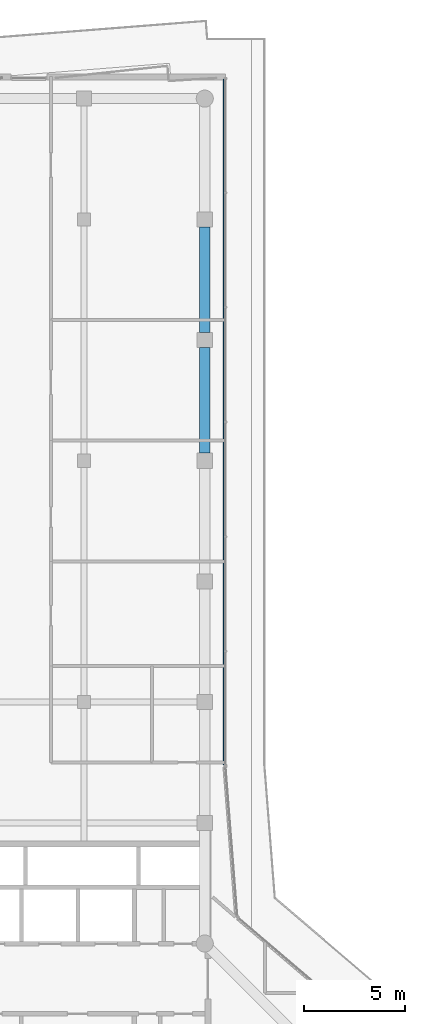
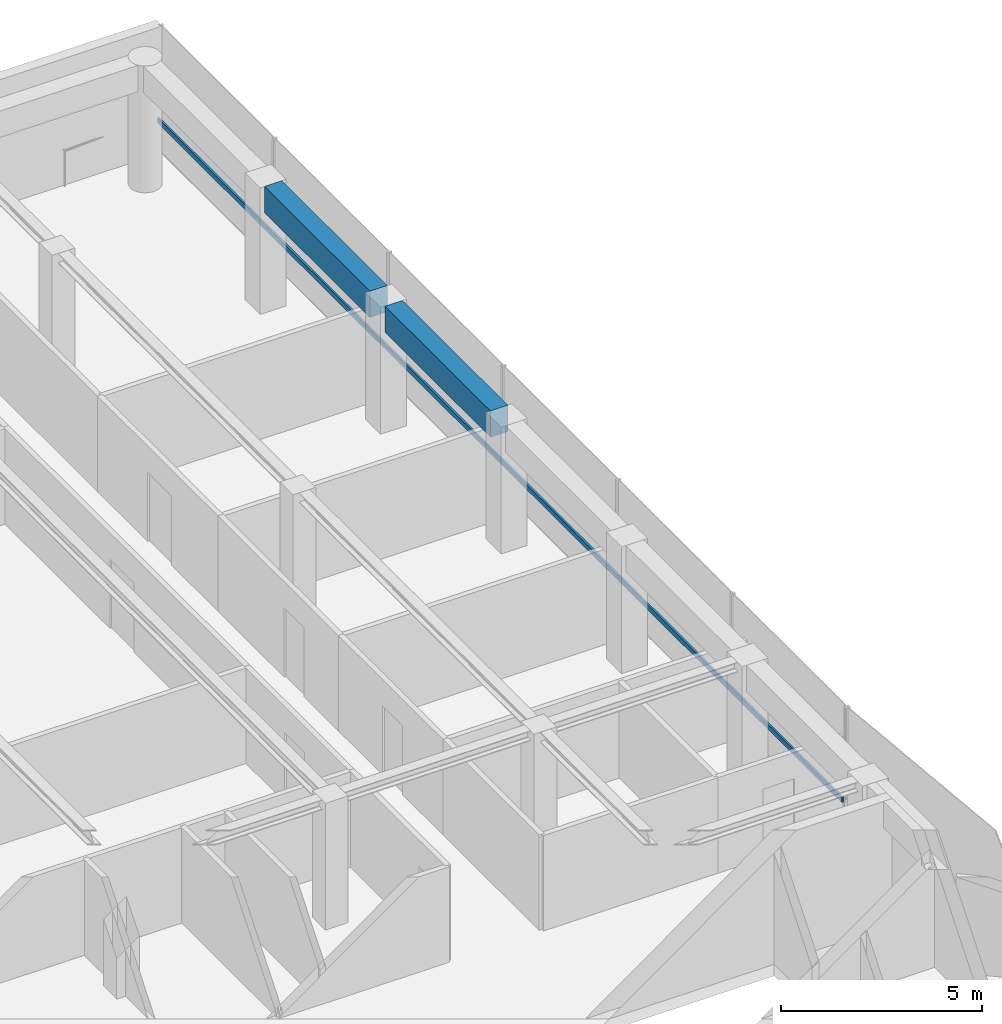
# One storey, part 15 of 23: 2 beams, 1 member, 1 element without a shape of its own.
"""IFC4 building model written with IfcOpenShell, lengths in metres."""

import ifcopenshell
import ifcopenshell.guid

model = None  # the IFC model being written
_history = None  # IfcOwnerHistory: only IFC2X3 demands one
_inside = {}  # id of a spatial element -> (the spatial element, [elements in it])
_under = {}  # id of a project, library or spatial element -> (it, [spatial elements below it])
_declared = {}  # id of a project -> (the project, [libraries it declares])
_typed = {}  # id of a type object -> (the type object, [elements of that type])
_made_of = {}  # id of a material, layer set ... -> (it, [elements and type objects made of it])


def new_model(schema):
    """Start an empty IFC model of exactly this schema.

    Asked for "IFC4X3", IfcOpenShell would pick the latest addendum, in which some entities
    have other attributes; the version numbers below select the first issue.
    IFC2X3 requires an IfcOwnerHistory on every rooted entity: one is made here for all.
    """
    global model, _history
    if schema == "IFC4X3":
        model = ifcopenshell.file(schema_version=(4, 3, 0, 0))
    else:
        model = ifcopenshell.file(schema=schema)
    _inside.clear()
    _under.clear()
    _declared.clear()
    _typed.clear()
    _made_of.clear()
    _history = None
    if model.schema == "IFC2X3":
        org = make("IfcOrganization", Name="unknown")
        user = make(
            "IfcPersonAndOrganization",
            ThePerson=make("IfcPerson", FamilyName="unknown"),
            TheOrganization=org,
        )
        app = make(
            "IfcApplication",
            ApplicationDeveloper=org,
            Version="unknown",
            ApplicationFullName="unknown",
            ApplicationIdentifier="unknown",
        )
        _history = make(
            "IfcOwnerHistory",
            OwningUser=user,
            OwningApplication=app,
            ChangeAction="ADDED",
            CreationDate=0,
        )
    return model


def make(cls, **values):
    """One entity of the class cls with the attributes given. An attribute that is None is left unset."""
    return model.create_entity(
        cls, **{name: value for name, value in values.items() if value is not None}
    )


def rooted(cls, **values):
    """An entity with a GlobalId (a new one), such as an element, a storey or a relation."""
    return make(cls, GlobalId=ifcopenshell.guid.new(), OwnerHistory=_history, **values)


def si_unit(unit_type, name, prefix=None):
    """IfcSIUnit, for example si_unit("LENGTHUNIT", "METRE", prefix="MILLI")."""
    return make("IfcSIUnit", UnitType=unit_type, Prefix=prefix, Name=name)


def assignment(units):
    """IfcUnitAssignment: the units of a project."""
    return None if units is None else make("IfcUnitAssignment", Units=units)


def point(xyz):
    """IfcCartesianPoint."""
    return None if xyz is None else make("IfcCartesianPoint", Coordinates=xyz)


def direction(xyz):
    """IfcDirection."""
    return None if xyz is None else make("IfcDirection", DirectionRatios=xyz)


def frame(location, z_axis=None, x_axis=None):
    """IfcAxis2Placement3D, a coordinate frame: its origin and axes. An axis left out is left unset."""
    return make(
        "IfcAxis2Placement3D",
        Location=point(location),
        Axis=direction(z_axis),
        RefDirection=direction(x_axis),
    )


def frame_2d(location, x_axis=None):
    """IfcAxis2Placement2D, a coordinate frame in the plane: its origin and x axis."""
    return make(
        "IfcAxis2Placement2D", Location=point(location), RefDirection=direction(x_axis)
    )


def origin():
    """The frame at (0, 0, 0) with its axes left unset."""
    return frame((0.0, 0.0, 0.0))


def origin_2d():
    """The frame at (0, 0) in the plane with its x axis left unset."""
    return frame_2d((0.0, 0.0))


def place(relative_to, where):
    """IfcLocalPlacement: puts the frame where relative to a parent placement (None: the world)."""
    return make(
        "IfcLocalPlacement", PlacementRelTo=relative_to, RelativePlacement=where
    )


def context(
    kind, dimensions, precision=None, world=None, true_north=None, identifier=None
):
    """IfcGeometricRepresentationContext, for example the 3D "Model" context."""
    return make(
        "IfcGeometricRepresentationContext",
        ContextIdentifier=identifier,
        ContextType=kind,
        CoordinateSpaceDimension=dimensions,
        Precision=precision,
        WorldCoordinateSystem=world,
        TrueNorth=true_north,
    )


def subcontext(parent, identifier, kind, view, scale=None):
    """IfcGeometricRepresentationSubContext, for example "Body" below "Model"."""
    return make(
        "IfcGeometricRepresentationSubContext",
        ContextIdentifier=identifier,
        ContextType=kind,
        ParentContext=parent,
        TargetScale=scale,
        TargetView=view,
    )


def project(units=None, contexts=None):
    """IfcProject with its units and contexts."""
    return rooted(
        "IfcProject",
        Name="project",
        RepresentationContexts=contexts,
        UnitsInContext=assignment(units),
    )


def spatial(cls, under=None, at=None, **own):
    """A site, building, storey or space (cls), placed at a placement, below another one or the project."""
    s = rooted(cls, ObjectPlacement=at, **own)
    if under is not None:
        _under.setdefault(under.id(), (under, []))[1].append(s)
    return s


def profile(cls, at=None, kind="AREA", **sizes):
    """A parametric profile (cls). Its sizes go by their IFC names, for example OverallWidth=200.0."""
    return make(cls, ProfileType=kind, Position=at, **sizes)


def rectangle(**sizes):
    """IfcRectangleProfileDef."""
    return profile("IfcRectangleProfileDef", **sizes)


def extrude(swept, where, along, depth):
    """IfcExtrudedAreaSolid: the profile swept, set in the frame where, extruded along a direction by depth."""
    return make(
        "IfcExtrudedAreaSolid",
        SweptArea=swept,
        Position=where,
        ExtrudedDirection=direction(along),
        Depth=depth,
    )


def shape(context_of_items, identifier, shape_type, items):
    """IfcShapeRepresentation: the items that make up one representation, for example the "Body"."""
    return make(
        "IfcShapeRepresentation",
        ContextOfItems=context_of_items,
        RepresentationIdentifier=identifier,
        RepresentationType=shape_type,
        Items=items,
    )


def material(Name=None, Category=None):
    """IfcMaterial."""
    return make("IfcMaterial", Name=Name, Category=Category)


def layer(
    of_material, thickness, ventilated=None, Name=None, Category=None, Priority=None
):
    """IfcMaterialLayer: one layer of a wall or slab, of a material (None: an air gap)."""
    return make(
        "IfcMaterialLayer",
        Material=of_material,
        LayerThickness=thickness,
        IsVentilated=ventilated,
        Name=Name,
        Category=Category,
        Priority=Priority,
    )


def layer_set(layers, Name=None):
    """IfcMaterialLayerSet."""
    return make("IfcMaterialLayerSet", MaterialLayers=layers, LayerSetName=Name)


def material_profile(
    of_material, cross_section, Name=None, Category=None, Priority=None
):
    """IfcMaterialProfile: a cross section and its material."""
    return make(
        "IfcMaterialProfile",
        Name=Name,
        Material=of_material,
        Profile=cross_section,
        Priority=Priority,
        Category=Category,
    )


def profile_set(profiles, Name=None, composite=None):
    """IfcMaterialProfileSet."""
    return make(
        "IfcMaterialProfileSet",
        Name=Name,
        MaterialProfiles=profiles,
        CompositeProfile=composite,
    )


def made_of(thing, what):
    """Note that an element or type object is made of a material, layer set ...; save() writes the relation."""
    if what is not None:
        _made_of.setdefault(what.id(), (what, []))[1].append(thing)
    return thing


def type_object(cls, material=None, **own):
    """A type object (cls), such as IfcWallType, which elements share."""
    return made_of(rooted(cls, **own), material)


def element(
    cls,
    number,
    at=None,
    inside=None,
    cuts=None,
    type_object=None,
    material=None,
    context=None,
    identifier="Body",
    shape_type=None,
    held_by="IfcProductDefinitionShape",
    body=None,
    shapes=None,
    **own,
):
    """One element of the class cls, such as IfcWall. Its Tag is "e" and its number.

    at: its placement. inside: the storey or other place that contains it. cuts: it is an
    opening in that element (IfcRelVoidsElement). A single representation is given by context,
    identifier, shape_type and body (its items); several are given by shapes. held_by: the class
    of the entity that holds the representations. save() writes the other relations.
    """
    e = rooted(cls, Tag="e%d" % number, ObjectPlacement=at, **own)
    if body is not None:
        shapes = [shape(context, identifier, shape_type, body)]
    if shapes is not None:
        e.Representation = make(held_by, Representations=shapes)
    if inside is not None:
        _inside.setdefault(inside.id(), (inside, []))[1].append(e)
    if cuts is not None:
        rooted(
            "IfcRelVoidsElement", RelatingBuildingElement=cuts, RelatedOpeningElement=e
        )
    if type_object is not None:
        _typed.setdefault(type_object.id(), (type_object, []))[1].append(e)
    return made_of(e, material)


def aggregate(whole, parts):
    """IfcRelAggregates: a whole, such as a stair, and the parts it consists of."""
    return rooted("IfcRelAggregates", RelatingObject=whole, RelatedObjects=parts)


def save(model, path):
    """Write the relations noted so far, then the file.

    IfcRelAggregates (storeys below a building ...), IfcRelContainedInSpatialStructure (elements
    in a storey), IfcRelDefinesByType, IfcRelAssociatesMaterial and IfcRelDeclares: one each for
    every whole, place, type object, material and project.
    """
    for whole, parts in _under.values():
        aggregate(whole, parts)
    for where, things in _inside.values():
        rooted(
            "IfcRelContainedInSpatialStructure",
            RelatedElements=things,
            RelatingStructure=where,
        )
    for kind, things in _typed.values():
        rooted("IfcRelDefinesByType", RelatedObjects=things, RelatingType=kind)
    for what, things in _made_of.values():
        rooted("IfcRelAssociatesMaterial", RelatedObjects=things, RelatingMaterial=what)
    for by, libraries in _declared.values():
        rooted("IfcRelDeclares", RelatingContext=by, RelatedDefinitions=libraries)
    model.write(path)


model = new_model("IFC4")

# Units and contexts
model_context = context("Model", 3, precision=1e-05, world=origin(), true_north=direction((0.0, 1.0)))
body_context = subcontext(model_context, "Body", "Model", "MODEL_VIEW")
ifc_project = project(units=[si_unit("LENGTHUNIT", "METRE"), si_unit("AREAUNIT", "SQUARE_METRE"), si_unit("VOLUMEUNIT", "CUBIC_METRE"), si_unit("PLANEANGLEUNIT", "RADIAN"), si_unit("MASSUNIT", "GRAM", prefix="KILO")], contexts=[model_context])

# Site, building, storey
site_placement = place(None, origin())
site = spatial("IfcSite", under=ifc_project, at=site_placement, CompositionType="ELEMENT")
building_placement = place(site_placement, origin())
building = spatial("IfcBuilding", under=site, at=building_placement, Name="Welwitschia Terrace Campus", CompositionType="ELEMENT")
storey_placement = place(building_placement, frame((0.0, 0.0, 306.199951171875)))
storey = spatial("IfcBuildingStorey", under=building, at=storey_placement, Name="L68", CompositionType="ELEMENT", Elevation=306.199951171875)

# Beams
ifc_material_1 = material(Name="Concrete C50/60", Category="concrete")
ifc_material_profile_1 = material_profile(ifc_material_1, rectangle(XDim=0.5, YDim=0.800048828125, at=origin_2d()))
ifc_profile_set_1 = profile_set([ifc_material_profile_1], Name="Concrete C50/60")
beam_type = type_object("IfcBeamType", Name="Ring spandrel 500x800", PredefinedType="SPANDREL", material=ifc_profile_set_1)
for number, where, z_axis, x_axis, name in (
    (1, (24.0, 44.37548828125, 3.449951171875), (0.0, 1.0, 0.0), (-1.0, 0.0, 0.0), "Spandrel SP4"),
    (2, (24.0, 50.37548828125, 3.449951171875), (0.0, 1.0, 0.0), (-1.0, 0.0, 0.0), "Spandrel SP4"),
):
    element("IfcBeam", number, at=place(storey_placement, frame(where, z_axis=z_axis, x_axis=x_axis)), inside=storey, type_object=beam_type, Name=name, PredefinedType="SPANDREL", context=body_context, shape_type="SweptSolid", body=[
        extrude(rectangle(XDim=0.5, YDim=0.800048828125, at=origin_2d()), origin(), (0.0, 0.0, 1.0), 5.2490234375),
    ])

# Curtain wall, member
ifc_material_2 = material(Name="Bronze anodised aluminium", Category="aluminium")
ifc_layer = layer(ifc_material_2, 0.1201171875)
ifc_layer_set = layer_set([ifc_layer], Name="Bronze anodised aluminium")
curtain_wall_type = type_object("IfcCurtainWallType", Name="Curtain wall CW2 tower 6000", PredefinedType="NOTDEFINED", material=ifc_layer_set)
curtain_wall_placement = place(storey_placement, origin())
curtain_wall = element("IfcCurtainWall", 3, at=curtain_wall_placement, inside=storey, type_object=curtain_wall_type, Name="CW L68.7.0", PredefinedType="NOTDEFINED")
ifc_material_3 = material(Name="Bronze anodised aluminium", Category="aluminium")
ifc_material_profile_2 = material_profile(ifc_material_3, rectangle(XDim=0.06005859375, YDim=0.14990234375, at=origin_2d()))
ifc_profile_set_2 = profile_set([ifc_material_profile_2], Name="Bronze anodised aluminium")
member_type = type_object("IfcMemberType", Name="Transom 60x150", PredefinedType="USERDEFINED", material=ifc_profile_set_2)
member_placement = place(storey_placement, frame((24.93994140625, 28.882568359375, 1.0), z_axis=(0.0, 1.0, 0.0), x_axis=(-1.0, 0.0, 0.0)))
member = element("IfcMember", 4, at=member_placement, type_object=member_type, Name="Transom L68.7.0", ObjectType="TRANSOM", PredefinedType="USERDEFINED", context=body_context, shape_type="SweptSolid", body=[
    extrude(rectangle(XDim=0.06005859375, YDim=0.14990234375, at=origin_2d()), origin(), (0.0, 0.0, 1.0), 34.08740234375),
])
aggregate(curtain_wall, [member])

save(model, "model.ifc")
